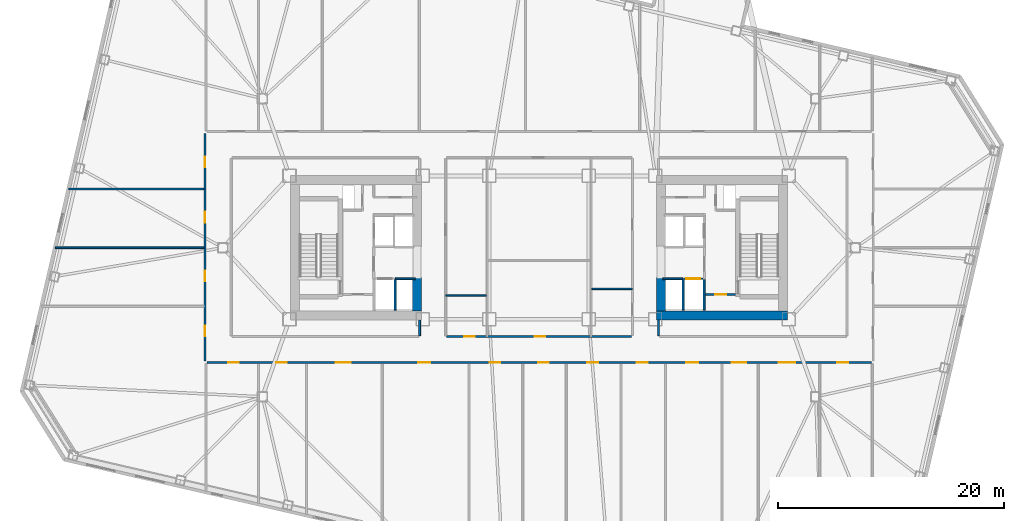
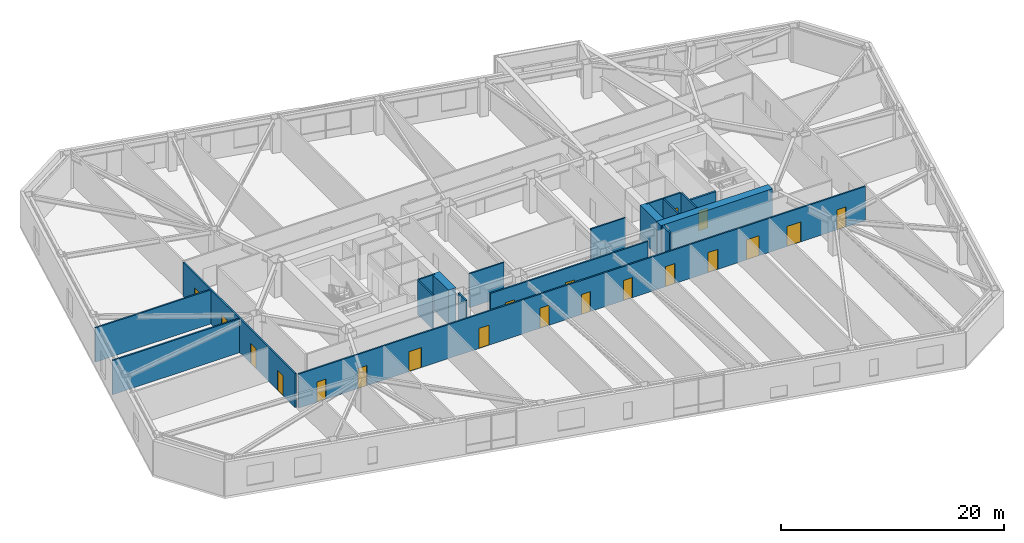
# One storey, part 14 of 23: 20 doors, 19 walls, 20 openings.
"""IFC4 building model written with IfcOpenShell, lengths in metres."""

from ifc_helpers import new_model, si_unit, direction, frame, frame_2d, origin, place, context, subcontext, project, spatial, rectangle, extrude, material, layer, layer_set, type_object, element, fill, save


model = new_model("IFC4")

# Units and contexts
model_context = context("Model", 3, precision=1e-05, world=origin(), true_north=direction((0.0, 1.0)))
body_context = subcontext(model_context, "Body", "Model", "MODEL_VIEW")
ifc_project = project(units=[si_unit("LENGTHUNIT", "METRE"), si_unit("AREAUNIT", "SQUARE_METRE"), si_unit("VOLUMEUNIT", "CUBIC_METRE"), si_unit("PLANEANGLEUNIT", "RADIAN"), si_unit("MASSUNIT", "GRAM", prefix="KILO")], contexts=[model_context])

# Site, building, storey
site_placement = place(None, origin())
site = spatial("IfcSite", under=ifc_project, at=site_placement, CompositionType="ELEMENT")
building_placement = place(site_placement, origin())
building = spatial("IfcBuilding", under=site, at=building_placement, Name="Tavrogorsk Clinical Tower", CompositionType="ELEMENT")
storey_placement = place(building_placement, frame((0.0, 0.0, 63.39990234375)))
storey = spatial("IfcBuildingStorey", under=building, at=storey_placement, Name="L13", CompositionType="ELEMENT", Elevation=63.39990234375)

# Wall, opening, door
ifc_material_1 = material(Name="Concrete B60", Category="concrete")
ifc_layer_1 = layer(ifc_material_1, 0.199951171875)
ifc_layer_set_1 = layer_set([ifc_layer_1], Name="Concrete B60")
wall_type_1 = type_object("IfcWallType", Name="CoreFireWall_200", PredefinedType="SOLIDWALL", material=ifc_layer_set_1)
wall_1_placement = place(storey_placement, frame((14.719970703125, -4.139892578125, 0.0), z_axis=(0.0, 0.0, 1.0), x_axis=(1.0, 0.0, 0.0)))
wall_1 = element("IfcWall", 1, at=wall_1_placement, inside=storey, type_object=wall_type_1, Name="L13 Core East South Core Room Fire Wall", PredefinedType="SOLIDWALL", context=body_context, shape_type="SweptSolid", body=[
    extrude(rectangle(XDim=2.659912109375, YDim=0.199951171875, at=frame_2d((1.330078125, 0.0))), origin(), (0.0, 0.0, 1.0), 3.739990234375),
])
opening_1_placement = place(wall_1_placement, frame((0.8798828125, 0.0, 0.0)))
opening_1 = element("IfcOpeningElement", 2, at=opening_1_placement, cuts=wall_1, Name="Opening ID-02", PredefinedType="OPENING", context=body_context, shape_type="SweptSolid", body=[
    extrude(rectangle(XDim=0.949951171875, YDim=2.199951171875, at=frame_2d((0.47509765625, 1.10009765625))), frame((0.0, 0.10986328125, 0.0), z_axis=(0.0, -1.0, 0.0), x_axis=(1.0, 0.0, 0.0)), (0.0, 0.0, 1.0), 0.219970703125),
])
ifc_material_2 = material(Name="Laminated timber leaf on aluminium frame", Category="wood")
door_type_1 = type_object("IfcDoorType", Name="InteriorDoor_ID02_950", OperationType="NOTDEFINED", PredefinedType="DOOR", material=ifc_material_2)
door_1_placement = place(opening_1_placement, origin())
door_1 = element("IfcDoor", 3, at=door_1_placement, inside=storey, type_object=door_type_1, Name="L13 Core East South Core Room Door", OperationType="SINGLE_SWING_RIGHT", OverallHeight=2.199951171875, OverallWidth=0.949951171875, PredefinedType="DOOR", context=body_context, shape_type="SweptSolid", body=[
    extrude(rectangle(XDim=0.949951171875, YDim=2.199951171875, at=frame_2d((0.47509765625, 1.10009765625))), frame((0.0, 0.02490234375, 0.0), z_axis=(0.0, -1.0, 0.0), x_axis=(1.0, 0.0, 0.0)), (0.0, 0.0, 1.0), 0.050048828125),
])
fill(opening_1, door_1)

# Walls
ifc_material_3 = material(Name="Lightweight concrete blockwork B15", Category="masonry")
ifc_layer_2 = layer(ifc_material_3, 0.139892578125)
ifc_layer_set_2 = layer_set([ifc_layer_2], Name="Lightweight concrete blockwork B15")
wall_type_2 = type_object("IfcWallType", Name="PartitionWall_140", PredefinedType="PARTITIONING", material=ifc_layer_set_2)
for number, where, z_axis, x_axis, name in (
    (4, (-8.264892578125, -4.25, 0.0), (0.0, 0.0, 1.0), (1.0, 0.0, 0.0), "L13 Central Spine Partition 4"),
    (5, (4.675048828125, -3.64990234375, 0.0), (0.0, 0.0, 1.0), (1.0, 0.0, 0.0), "L13 Central Spine Partition 5"),
):
    element("IfcWall", number, at=place(storey_placement, frame(where, z_axis=z_axis, x_axis=x_axis)), inside=storey, type_object=wall_type_2, Name=name, PredefinedType="PARTITIONING", context=body_context, shape_type="SweptSolid", body=[
        extrude(rectangle(XDim=3.58984375, YDim=0.139892578125, at=frame_2d((1.794921875, 0.0))), origin(), (0.0, 0.0, 1.0), 3.739990234375),
    ])

# Wall, openings, doors
ifc_material_4 = material(Name="Lightweight concrete blockwork B15", Category="masonry")
ifc_layer_3 = layer(ifc_material_4, 0.159912109375)
ifc_layer_set_3 = layer_set([ifc_layer_3], Name="Lightweight concrete blockwork B15")
wall_type_3 = type_object("IfcWallType", Name="PartitionWall_160", PredefinedType="PARTITIONING", material=ifc_layer_set_3)
wall_2_placement = place(storey_placement, frame((-29.580078125, -10.014892578125, 0.0), z_axis=(0.0, 0.0, 1.0), x_axis=(0.0, 1.0, 0.0)))
wall_2 = element("IfcWall", 6, at=wall_2_placement, inside=storey, type_object=wall_type_3, Name="L13 Corridor Partition 01", PredefinedType="PARTITIONING", context=body_context, shape_type="SweptSolid", body=[
    extrude(rectangle(XDim=20.1298828125, YDim=0.159912109375, at=frame_2d((10.06494140625, 0.0))), origin(), (0.0, 0.0, 1.0), 3.739990234375),
])
opening_2_placement = place(wall_2_placement, frame((2.169189453125, 0.0, 0.0)))
opening_2 = element("IfcOpeningElement", 7, at=opening_2_placement, cuts=wall_2, Name="Opening ID-02", PredefinedType="OPENING", context=body_context, shape_type="SweptSolid", body=[
    extrude(rectangle(XDim=0.949951171875, YDim=2.199951171875, at=frame_2d((0.47509765625, 1.10009765625))), frame((0.0, 0.08984375, 0.0), z_axis=(0.0, -1.0, 0.0), x_axis=(1.0, 0.0, 0.0)), (0.0, 0.0, 1.0), 0.179931640625),
])
opening_3_placement = place(wall_2_placement, frame((7.02490234375, 0.0, 0.0)))
opening_3 = element("IfcOpeningElement", 8, at=opening_3_placement, cuts=wall_2, Name="Opening ID-02", PredefinedType="OPENING", context=body_context, shape_type="SweptSolid", body=[
    extrude(rectangle(XDim=0.949951171875, YDim=2.199951171875, at=frame_2d((0.47509765625, 1.10009765625))), frame((0.0, 0.08984375, 0.0), z_axis=(0.0, -1.0, 0.0), x_axis=(1.0, 0.0, 0.0)), (0.0, 0.0, 1.0), 0.179931640625),
])
opening_4_placement = place(wall_2_placement, frame((12.22509765625, 0.0, 0.0)))
opening_4 = element("IfcOpeningElement", 9, at=opening_4_placement, cuts=wall_2, Name="Opening ID-02", PredefinedType="OPENING", context=body_context, shape_type="SweptSolid", body=[
    extrude(rectangle(XDim=0.949951171875, YDim=2.199951171875, at=frame_2d((0.47509765625, 1.10009765625))), frame((0.0, 0.08984375, 0.0), z_axis=(0.0, -1.0, 0.0), x_axis=(1.0, 0.0, 0.0)), (0.0, 0.0, 1.0), 0.179931640625),
])
opening_5_placement = place(wall_2_placement, frame((17.130859375, 0.0, 0.0)))
opening_5 = element("IfcOpeningElement", 10, at=opening_5_placement, cuts=wall_2, Name="Opening ID-02", PredefinedType="OPENING", context=body_context, shape_type="SweptSolid", body=[
    extrude(rectangle(XDim=0.949951171875, YDim=2.199951171875, at=frame_2d((0.47509765625, 1.10009765625))), frame((0.0, 0.08984375, 0.0), z_axis=(0.0, -1.0, 0.0), x_axis=(1.0, 0.0, 0.0)), (0.0, 0.0, 1.0), 0.179931640625),
])
door_2_placement = place(opening_2_placement, origin())
door_2 = element("IfcDoor", 11, at=door_2_placement, inside=storey, type_object=door_type_1, Name="L13 W Solarium Day Room & Lounge 1 Door", OperationType="SINGLE_SWING_LEFT", OverallHeight=2.199951171875, OverallWidth=0.949951171875, PredefinedType="DOOR", context=body_context, shape_type="SweptSolid", body=[
    extrude(rectangle(XDim=0.949951171875, YDim=2.199951171875, at=frame_2d((0.47509765625, 1.10009765625))), frame((0.0, 0.02490234375, 0.0), z_axis=(0.0, -1.0, 0.0), x_axis=(1.0, 0.0, 0.0)), (0.0, 0.0, 1.0), 0.050048828125),
])
fill(opening_2, door_2)
door_3_placement = place(opening_3_placement, origin())
door_3 = element("IfcDoor", 12, at=door_3_placement, inside=storey, type_object=door_type_1, Name="L13 W Rehabilitation Therapy Suite 2 Door", OperationType="SINGLE_SWING_RIGHT", OverallHeight=2.199951171875, OverallWidth=0.949951171875, PredefinedType="DOOR", context=body_context, shape_type="SweptSolid", body=[
    extrude(rectangle(XDim=0.949951171875, YDim=2.199951171875, at=frame_2d((0.47509765625, 1.10009765625))), frame((0.0, 0.02490234375, 0.0), z_axis=(0.0, -1.0, 0.0), x_axis=(1.0, 0.0, 0.0)), (0.0, 0.0, 1.0), 0.050048828125),
])
fill(opening_3, door_3)
door_4_placement = place(opening_4_placement, origin())
door_4 = element("IfcDoor", 13, at=door_4_placement, inside=storey, type_object=door_type_1, Name="L13 W Sub-Acute Observation Suite 3 Door", OperationType="SINGLE_SWING_LEFT", OverallHeight=2.199951171875, OverallWidth=0.949951171875, PredefinedType="DOOR", context=body_context, shape_type="SweptSolid", body=[
    extrude(rectangle(XDim=0.949951171875, YDim=2.199951171875, at=frame_2d((0.47509765625, 1.10009765625))), frame((0.0, 0.02490234375, 0.0), z_axis=(0.0, -1.0, 0.0), x_axis=(1.0, 0.0, 0.0)), (0.0, 0.0, 1.0), 0.050048828125),
])
fill(opening_4, door_4)
door_5_placement = place(opening_5_placement, origin())
door_5 = element("IfcDoor", 14, at=door_5_placement, inside=storey, type_object=door_type_1, Name="L13 W Family Consultation Lounge 4 Door", OperationType="SINGLE_SWING_RIGHT", OverallHeight=2.199951171875, OverallWidth=0.949951171875, PredefinedType="DOOR", context=body_context, shape_type="SweptSolid", body=[
    extrude(rectangle(XDim=0.949951171875, YDim=2.199951171875, at=frame_2d((0.47509765625, 1.10009765625))), frame((0.0, 0.02490234375, 0.0), z_axis=(0.0, -1.0, 0.0), x_axis=(1.0, 0.0, 0.0)), (0.0, 0.0, 1.0), 0.050048828125),
])
fill(opening_5, door_5)

wall_3_placement = place(storey_placement, frame((29.4150390625, -10.179931640625, 0.0), z_axis=(0.0, 0.0, 1.0), x_axis=(-1.0, 0.0, 0.0)))
wall_3 = element("IfcWall", 15, at=wall_3_placement, inside=storey, type_object=wall_type_3, Name="L13 Corridor Partition 04", PredefinedType="PARTITIONING", context=body_context, shape_type="SweptSolid", body=[
    extrude(rectangle(XDim=58.830078125, YDim=0.159912109375, at=frame_2d((29.4150390625, 0.0))), origin(), (0.0, 0.0, 1.0), 3.739990234375),
])
opening_6_placement = place(wall_3_placement, frame((56.005859375, 0.0, 0.0)))
opening_6 = element("IfcOpeningElement", 16, at=opening_6_placement, cuts=wall_3, Name="Opening ID-02", PredefinedType="OPENING", context=body_context, shape_type="SweptSolid", body=[
    extrude(rectangle(XDim=0.949951171875, YDim=2.199951171875, at=frame_2d((0.47509765625, 1.10009765625))), frame((0.0, 0.08984375, 0.0), z_axis=(0.0, -1.0, 0.0), x_axis=(1.0, 0.0, 0.0)), (0.0, 0.0, 1.0), 0.179931640625),
])
opening_7_placement = place(wall_3_placement, frame((51.75, 0.0, 0.0)))
opening_7 = element("IfcOpeningElement", 17, at=opening_7_placement, cuts=wall_3, Name="Opening ID-02", PredefinedType="OPENING", context=body_context, shape_type="SweptSolid", body=[
    extrude(rectangle(XDim=0.949951171875, YDim=2.199951171875, at=frame_2d((0.47509765625, 1.10009765625))), frame((0.0, 0.08984375, 0.0), z_axis=(0.0, -1.0, 0.0), x_axis=(1.0, 0.0, 0.0)), (0.0, 0.0, 1.0), 0.179931640625),
])
opening_8_placement = place(wall_3_placement, frame((46.10009765625, 0.0, 0.0)))
opening_8 = element("IfcOpeningElement", 18, at=opening_8_placement, cuts=wall_3, Name="Opening ID-01", PredefinedType="OPENING", context=body_context, shape_type="SweptSolid", body=[
    extrude(rectangle(XDim=1.300048828125, YDim=2.199951171875, at=frame_2d((0.64990234375, 1.10009765625))), frame((0.0, 0.08984375, 0.0), z_axis=(0.0, -1.0, 0.0), x_axis=(1.0, 0.0, 0.0)), (0.0, 0.0, 1.0), 0.179931640625),
])
opening_9_placement = place(wall_3_placement, frame((39.074951171875, 0.0, 0.0)))
opening_9 = element("IfcOpeningElement", 19, at=opening_9_placement, cuts=wall_3, Name="Opening ID-04", PredefinedType="OPENING", context=body_context, shape_type="SweptSolid", body=[
    extrude(rectangle(XDim=1.050048828125, YDim=2.199951171875, at=frame_2d((0.52490234375, 1.10009765625))), frame((0.0, 0.08984375, 0.0), z_axis=(0.0, -1.0, 0.0), x_axis=(1.0, 0.0, 0.0)), (0.0, 0.0, 1.0), 0.179931640625),
])
opening_10_placement = place(wall_3_placement, frame((32.85009765625, 0.0, 0.0)))
opening_10 = element("IfcOpeningElement", 20, at=opening_10_placement, cuts=wall_3, Name="Opening ID-02", PredefinedType="OPENING", context=body_context, shape_type="SweptSolid", body=[
    extrude(rectangle(XDim=0.949951171875, YDim=2.199951171875, at=frame_2d((0.47509765625, 1.10009765625))), frame((0.0, 0.08984375, 0.0), z_axis=(0.0, -1.0, 0.0), x_axis=(1.0, 0.0, 0.0)), (0.0, 0.0, 1.0), 0.179931640625),
])
opening_11_placement = place(wall_3_placement, frame((28.550048828125, 0.0, 0.0)))
opening_11 = element("IfcOpeningElement", 21, at=opening_11_placement, cuts=wall_3, Name="Opening ID-02", PredefinedType="OPENING", context=body_context, shape_type="SweptSolid", body=[
    extrude(rectangle(XDim=0.949951171875, YDim=2.199951171875, at=frame_2d((0.47509765625, 1.10009765625))), frame((0.0, 0.08984375, 0.0), z_axis=(0.0, -1.0, 0.0), x_axis=(1.0, 0.0, 0.0)), (0.0, 0.0, 1.0), 0.179931640625),
])
opening_12_placement = place(wall_3_placement, frame((24.199951171875, 0.0, 0.0)))
opening_12 = element("IfcOpeningElement", 22, at=opening_12_placement, cuts=wall_3, Name="Opening ID-02", PredefinedType="OPENING", context=body_context, shape_type="SweptSolid", body=[
    extrude(rectangle(XDim=0.949951171875, YDim=2.199951171875, at=frame_2d((0.47509765625, 1.10009765625))), frame((0.0, 0.08984375, 0.0), z_axis=(0.0, -1.0, 0.0), x_axis=(1.0, 0.0, 0.0)), (0.0, 0.0, 1.0), 0.179931640625),
])
opening_13_placement = place(wall_3_placement, frame((19.800048828125, 0.0, 0.0)))
opening_13 = element("IfcOpeningElement", 23, at=opening_13_placement, cuts=wall_3, Name="Opening ID-02", PredefinedType="OPENING", context=body_context, shape_type="SweptSolid", body=[
    extrude(rectangle(XDim=0.949951171875, YDim=2.199951171875, at=frame_2d((0.47509765625, 1.10009765625))), frame((0.0, 0.08984375, 0.0), z_axis=(0.0, -1.0, 0.0), x_axis=(1.0, 0.0, 0.0)), (0.0, 0.0, 1.0), 0.179931640625),
])
opening_14_placement = place(wall_3_placement, frame((15.330078125, 0.0, 0.0)))
opening_14 = element("IfcOpeningElement", 24, at=opening_14_placement, cuts=wall_3, Name="Opening ID-04", PredefinedType="OPENING", context=body_context, shape_type="SweptSolid", body=[
    extrude(rectangle(XDim=1.050048828125, YDim=2.199951171875, at=frame_2d((0.52490234375, 1.10009765625))), frame((0.0, 0.08984375, 0.0), z_axis=(0.0, -1.0, 0.0), x_axis=(1.0, 0.0, 0.0)), (0.0, 0.0, 1.0), 0.179931640625),
])
opening_15_placement = place(wall_3_placement, frame((11.054931640625, 0.0, 0.0)))
opening_15 = element("IfcOpeningElement", 25, at=opening_15_placement, cuts=wall_3, Name="Opening ID-01", PredefinedType="OPENING", context=body_context, shape_type="SweptSolid", body=[
    extrude(rectangle(XDim=1.300048828125, YDim=2.199951171875, at=frame_2d((0.64990234375, 1.10009765625))), frame((0.0, 0.08984375, 0.0), z_axis=(0.0, -1.0, 0.0), x_axis=(1.0, 0.0, 0.0)), (0.0, 0.0, 1.0), 0.179931640625),
])
opening_16_placement = place(wall_3_placement, frame((6.72509765625, 0.0, 0.0)))
opening_16 = element("IfcOpeningElement", 26, at=opening_16_placement, cuts=wall_3, Name="Opening ID-05", PredefinedType="OPENING", context=body_context, shape_type="SweptSolid", body=[
    extrude(rectangle(XDim=1.449951171875, YDim=2.199951171875, at=frame_2d((0.72509765625, 1.10009765625))), frame((0.0, 0.08984375, 0.0), z_axis=(0.0, -1.0, 0.0), x_axis=(1.0, 0.0, 0.0)), (0.0, 0.0, 1.0), 0.179931640625),
])
opening_17_placement = place(wall_3_placement, frame((2.044189453125, 0.0, 0.0)))
opening_17 = element("IfcOpeningElement", 27, at=opening_17_placement, cuts=wall_3, Name="Opening ID-02", PredefinedType="OPENING", context=body_context, shape_type="SweptSolid", body=[
    extrude(rectangle(XDim=0.949951171875, YDim=2.199951171875, at=frame_2d((0.47509765625, 1.10009765625))), frame((0.0, 0.08984375, 0.0), z_axis=(0.0, -1.0, 0.0), x_axis=(1.0, 0.0, 0.0)), (0.0, 0.0, 1.0), 0.179931640625),
])
ifc_material_5 = material(Name="Antibacterial HPL consultation door on aluminium frame", Category="aluminium")
door_type_2 = type_object("IfcDoorType", Name="ConsultDoor_ID04_1050", OperationType="NOTDEFINED", PredefinedType="DOOR", material=ifc_material_5)
door_6_placement = place(opening_9_placement, origin())
door_6 = element("IfcDoor", 28, at=door_6_placement, inside=storey, type_object=door_type_2, Name="L13 South Clean Medication & Prep Room 04 Door", OperationType="SINGLE_SWING_RIGHT", OverallHeight=2.199951171875, OverallWidth=1.050048828125, PredefinedType="DOOR", context=body_context, shape_type="SweptSolid", body=[
    extrude(rectangle(XDim=1.050048828125, YDim=2.199951171875, at=frame_2d((0.52490234375, 1.10009765625))), frame((0.0, 0.02490234375, 0.0), z_axis=(0.0, -1.0, 0.0), x_axis=(1.0, 0.0, 0.0)), (0.0, 0.0, 1.0), 0.050048828125),
])
fill(opening_9, door_6)
door_7_placement = place(opening_14_placement, origin())
door_7 = element("IfcDoor", 29, at=door_7_placement, inside=storey, type_object=door_type_2, Name="L13 South Attending Physician Office 07A Door", OperationType="SINGLE_SWING_LEFT", OverallHeight=2.199951171875, OverallWidth=1.050048828125, PredefinedType="DOOR", context=body_context, shape_type="SweptSolid", body=[
    extrude(rectangle(XDim=1.050048828125, YDim=2.199951171875, at=frame_2d((0.52490234375, 1.10009765625))), frame((0.0, 0.02490234375, 0.0), z_axis=(0.0, -1.0, 0.0), x_axis=(1.0, 0.0, 0.0)), (0.0, 0.0, 1.0), 0.050048828125),
])
fill(opening_14, door_7)
ifc_material_6 = material(Name="Antibacterial HPL bariatric ward double door")
door_type_3 = type_object("IfcDoorType", Name="DoubleWardDoor_ID05_1450", OperationType="DOUBLE_SWING_LEFT", PredefinedType="DOOR", material=ifc_material_6)
door_8_placement = place(opening_16_placement, origin())
door_8 = element("IfcDoor", 30, at=door_8_placement, inside=storey, type_object=door_type_3, Name="L13 South Acute Medical Ward 08 Door", OperationType="DOUBLE_SWING_LEFT", OverallHeight=2.199951171875, OverallWidth=1.449951171875, PredefinedType="DOOR", context=body_context, shape_type="SweptSolid", body=[
    extrude(rectangle(XDim=1.449951171875, YDim=2.199951171875, at=frame_2d((0.72509765625, 1.10009765625))), frame((0.0, 0.02490234375, 0.0), z_axis=(0.0, -1.0, 0.0), x_axis=(1.0, 0.0, 0.0)), (0.0, 0.0, 1.0), 0.050048828125),
])
fill(opening_16, door_8)
door_9_placement = place(opening_6_placement, origin())
door_9 = element("IfcDoor", 31, at=door_9_placement, inside=storey, type_object=door_type_1, Name="L13 South Cardiology Diagnostics Room 01 Door", OperationType="SINGLE_SWING_LEFT", OverallHeight=2.199951171875, OverallWidth=0.949951171875, PredefinedType="DOOR", context=body_context, shape_type="SweptSolid", body=[
    extrude(rectangle(XDim=0.949951171875, YDim=2.199951171875, at=frame_2d((0.47509765625, 1.10009765625))), frame((0.0, 0.02490234375, 0.0), z_axis=(0.0, -1.0, 0.0), x_axis=(1.0, 0.0, 0.0)), (0.0, 0.0, 1.0), 0.050048828125),
])
fill(opening_6, door_9)
door_10_placement = place(opening_7_placement, origin())
door_10 = element("IfcDoor", 32, at=door_10_placement, inside=storey, type_object=door_type_1, Name="L13 South Attending Physician Office 02 Door", OperationType="SINGLE_SWING_RIGHT", OverallHeight=2.199951171875, OverallWidth=0.949951171875, PredefinedType="DOOR", context=body_context, shape_type="SweptSolid", body=[
    extrude(rectangle(XDim=0.949951171875, YDim=2.199951171875, at=frame_2d((0.47509765625, 1.10009765625))), frame((0.0, 0.02490234375, 0.0), z_axis=(0.0, -1.0, 0.0), x_axis=(1.0, 0.0, 0.0)), (0.0, 0.0, 1.0), 0.050048828125),
])
fill(opening_7, door_10)
door_11_placement = place(opening_10_placement, origin())
door_11 = element("IfcDoor", 33, at=door_11_placement, inside=storey, type_object=door_type_1, Name="L13 South Outpatient Procedure Suite 05A Door", OperationType="SINGLE_SWING_LEFT", OverallHeight=2.199951171875, OverallWidth=0.949951171875, PredefinedType="DOOR", context=body_context, shape_type="SweptSolid", body=[
    extrude(rectangle(XDim=0.949951171875, YDim=2.199951171875, at=frame_2d((0.47509765625, 1.10009765625))), frame((0.0, 0.02490234375, 0.0), z_axis=(0.0, -1.0, 0.0), x_axis=(1.0, 0.0, 0.0)), (0.0, 0.0, 1.0), 0.050048828125),
])
fill(opening_10, door_11)
door_12_placement = place(opening_11_placement, origin())
door_12 = element("IfcDoor", 34, at=door_12_placement, inside=storey, type_object=door_type_1, Name="L13 South Clinical Case Seminar Room 05B Door", OperationType="SINGLE_SWING_RIGHT", OverallHeight=2.199951171875, OverallWidth=0.949951171875, PredefinedType="DOOR", context=body_context, shape_type="SweptSolid", body=[
    extrude(rectangle(XDim=0.949951171875, YDim=2.199951171875, at=frame_2d((0.47509765625, 1.10009765625))), frame((0.0, 0.02490234375, 0.0), z_axis=(0.0, -1.0, 0.0), x_axis=(1.0, 0.0, 0.0)), (0.0, 0.0, 1.0), 0.050048828125),
])
fill(opening_11, door_12)
door_13_placement = place(opening_12_placement, origin())
door_13 = element("IfcDoor", 35, at=door_13_placement, inside=storey, type_object=door_type_1, Name="L13 South Cardiology Diagnostics Room 06A Door", OperationType="SINGLE_SWING_LEFT", OverallHeight=2.199951171875, OverallWidth=0.949951171875, PredefinedType="DOOR", context=body_context, shape_type="SweptSolid", body=[
    extrude(rectangle(XDim=0.949951171875, YDim=2.199951171875, at=frame_2d((0.47509765625, 1.10009765625))), frame((0.0, 0.02490234375, 0.0), z_axis=(0.0, -1.0, 0.0), x_axis=(1.0, 0.0, 0.0)), (0.0, 0.0, 1.0), 0.050048828125),
])
fill(opening_12, door_13)
door_14_placement = place(opening_13_placement, origin())
door_14 = element("IfcDoor", 36, at=door_14_placement, inside=storey, type_object=door_type_1, Name="L13 South Staff Rest & Nourishment Lounge 06B Door", OperationType="SINGLE_SWING_RIGHT", OverallHeight=2.199951171875, OverallWidth=0.949951171875, PredefinedType="DOOR", context=body_context, shape_type="SweptSolid", body=[
    extrude(rectangle(XDim=0.949951171875, YDim=2.199951171875, at=frame_2d((0.47509765625, 1.10009765625))), frame((0.0, 0.02490234375, 0.0), z_axis=(0.0, -1.0, 0.0), x_axis=(1.0, 0.0, 0.0)), (0.0, 0.0, 1.0), 0.050048828125),
])
fill(opening_13, door_14)
door_15_placement = place(opening_17_placement, origin())
door_15 = element("IfcDoor", 37, at=door_15_placement, inside=storey, type_object=door_type_1, Name="L13 South Clean Medication & Prep Room 09 Door", OperationType="SINGLE_SWING_RIGHT", OverallHeight=2.199951171875, OverallWidth=0.949951171875, PredefinedType="DOOR", context=body_context, shape_type="SweptSolid", body=[
    extrude(rectangle(XDim=0.949951171875, YDim=2.199951171875, at=frame_2d((0.47509765625, 1.10009765625))), frame((0.0, 0.02490234375, 0.0), z_axis=(0.0, -1.0, 0.0), x_axis=(1.0, 0.0, 0.0)), (0.0, 0.0, 1.0), 0.050048828125),
])
fill(opening_17, door_15)
ifc_material_7 = material(Name="Antibacterial HPL medical leaf on aluminium frame", Category="aluminium")
door_type_4 = type_object("IfcDoorType", Name="WardBedDoor_ID01_1300", OperationType="NOTDEFINED", PredefinedType="DOOR", material=ifc_material_7)
door_16_placement = place(opening_8_placement, origin())
door_16 = element("IfcDoor", 38, at=door_16_placement, inside=storey, type_object=door_type_4, Name="L13 South Acute Medical Ward 03 Door", OperationType="SINGLE_SWING_LEFT", OverallHeight=2.199951171875, OverallWidth=1.300048828125, PredefinedType="DOOR", context=body_context, shape_type="SweptSolid", body=[
    extrude(rectangle(XDim=1.300048828125, YDim=2.199951171875, at=frame_2d((0.64990234375, 1.10009765625))), frame((0.0, 0.02490234375, 0.0), z_axis=(0.0, -1.0, 0.0), x_axis=(1.0, 0.0, 0.0)), (0.0, 0.0, 1.0), 0.050048828125),
])
fill(opening_8, door_16)
door_17_placement = place(opening_15_placement, origin())
door_17 = element("IfcDoor", 39, at=door_17_placement, inside=storey, type_object=door_type_4, Name="L13 South Bariatric Observation Ward 07B Door", OperationType="SINGLE_SWING_RIGHT", OverallHeight=2.199951171875, OverallWidth=1.300048828125, PredefinedType="DOOR", context=body_context, shape_type="SweptSolid", body=[
    extrude(rectangle(XDim=1.300048828125, YDim=2.199951171875, at=frame_2d((0.64990234375, 1.10009765625))), frame((0.0, 0.02490234375, 0.0), z_axis=(0.0, -1.0, 0.0), x_axis=(1.0, 0.0, 0.0)), (0.0, 0.0, 1.0), 0.050048828125),
])
fill(opening_15, door_17)

# Wall
wall_4_placement = place(storey_placement, frame((10.580078125, -6.419921875, 0.0), z_axis=(0.0, 0.0, 1.0), x_axis=(0.0, -1.0, 0.0)))
element("IfcWall", 40, at=wall_4_placement, inside=storey, type_object=wall_type_3, Name="L13 Corridor Partition 07", PredefinedType="PARTITIONING", context=body_context, shape_type="SweptSolid", body=[
    extrude(rectangle(XDim=1.364990234375, YDim=0.159912109375, at=frame_2d((0.6826171875, 0.0))), origin(), (0.0, 0.0, 1.0), 3.739990234375),
])

# Wall, openings, doors
wall_5_placement = place(storey_placement, frame((-8.18505859375, -7.8701171875, 0.0), z_axis=(0.0, 0.0, 1.0), x_axis=(1.0, 0.0, 0.0)))
wall_5 = element("IfcWall", 41, at=wall_5_placement, inside=storey, type_object=wall_type_3, Name="L13 Corridor Partition 13", PredefinedType="PARTITIONING", context=body_context, shape_type="SweptSolid", body=[
    extrude(rectangle(XDim=16.3701171875, YDim=0.159912109375, at=frame_2d((8.18505859375, 0.0))), origin(), (0.0, 0.0, 1.0), 3.739990234375),
])
opening_18_placement = place(wall_5_placement, frame((1.55419921875, 0.0, 0.0)))
opening_18 = element("IfcOpeningElement", 42, at=opening_18_placement, cuts=wall_5, Name="Opening ID-02", PredefinedType="OPENING", context=body_context, shape_type="SweptSolid", body=[
    extrude(rectangle(XDim=0.949951171875, YDim=2.199951171875, at=frame_2d((0.47509765625, 1.10009765625))), frame((0.0, 0.08984375, 0.0), z_axis=(0.0, -1.0, 0.0), x_axis=(1.0, 0.0, 0.0)), (0.0, 0.0, 1.0), 0.179931640625),
])
opening_19_placement = place(wall_5_placement, frame((7.794921875, 0.0, 0.0)))
opening_19 = element("IfcOpeningElement", 43, at=opening_19_placement, cuts=wall_5, Name="Opening ID-02", PredefinedType="OPENING", context=body_context, shape_type="SweptSolid", body=[
    extrude(rectangle(XDim=0.949951171875, YDim=2.199951171875, at=frame_2d((0.47509765625, 1.10009765625))), frame((0.0, 0.08984375, 0.0), z_axis=(0.0, -1.0, 0.0), x_axis=(1.0, 0.0, 0.0)), (0.0, 0.0, 1.0), 0.179931640625),
])
door_18_placement = place(opening_18_placement, origin())
door_18 = element("IfcDoor", 44, at=door_18_placement, inside=storey, type_object=door_type_1, Name="L13 Accessible Patient Lavatory Door", OperationType="SINGLE_SWING_LEFT", OverallHeight=2.199951171875, OverallWidth=0.949951171875, PredefinedType="DOOR", context=body_context, shape_type="SweptSolid", body=[
    extrude(rectangle(XDim=0.949951171875, YDim=2.199951171875, at=frame_2d((0.47509765625, 1.10009765625))), frame((0.0, 0.02490234375, 0.0), z_axis=(0.0, -1.0, 0.0), x_axis=(1.0, 0.0, 0.0)), (0.0, 0.0, 1.0), 0.050048828125),
])
fill(opening_18, door_18)
door_19_placement = place(opening_19_placement, origin())
door_19 = element("IfcDoor", 45, at=door_19_placement, inside=storey, type_object=door_type_1, Name="L13 Multidisciplinary Conference Room Door", OperationType="SINGLE_SWING_LEFT", OverallHeight=2.199951171875, OverallWidth=0.949951171875, PredefinedType="DOOR", context=body_context, shape_type="SweptSolid", body=[
    extrude(rectangle(XDim=0.949951171875, YDim=2.199951171875, at=frame_2d((0.47509765625, 1.10009765625))), frame((0.0, 0.02490234375, 0.0), z_axis=(0.0, -1.0, 0.0), x_axis=(1.0, 0.0, 0.0)), (0.0, 0.0, 1.0), 0.050048828125),
])
fill(opening_19, door_19)

# Walls
wall_6_placement = place(storey_placement, frame((-10.580078125, -7.784912109375, 0.0), z_axis=(0.0, 0.0, 1.0), x_axis=(0.0, 1.0, 0.0)))
element("IfcWall", 46, at=wall_6_placement, inside=storey, type_object=wall_type_3, Name="L13 Corridor Partition 14", PredefinedType="PARTITIONING", context=body_context, shape_type="SweptSolid", body=[
    extrude(rectangle(XDim=1.364990234375, YDim=0.159912109375, at=frame_2d((0.6826171875, 0.0))), origin(), (0.0, 0.0, 1.0), 3.739990234375),
])
wall_7_placement = place(storey_placement, frame((-42.841552734375, 0.0, 0.0), z_axis=(0.0, 0.0, 1.0), x_axis=(1.0, 0.0, 0.0)))
element("IfcWall", 47, at=wall_7_placement, inside=storey, type_object=wall_type_3, Name="L13 W Wing Divider 2", PredefinedType="PARTITIONING", context=body_context, shape_type="SweptSolid", body=[
    extrude(rectangle(XDim=13.176513671875, YDim=0.159912109375, at=frame_2d((6.58837890625, 0.0))), origin(), (0.0, 0.0, 1.0), 3.739990234375),
])
wall_8_placement = place(storey_placement, frame((-41.64111328125, 5.199951171875, 0.0), z_axis=(0.0, 0.0, 1.0), x_axis=(1.0, 0.0, 0.0)))
element("IfcWall", 48, at=wall_8_placement, inside=storey, type_object=wall_type_3, Name="L13 W Wing Divider 3", PredefinedType="PARTITIONING", context=body_context, shape_type="SweptSolid", body=[
    extrude(rectangle(XDim=11.97607421875, YDim=0.159912109375, at=frame_2d((5.988037109375, 0.0))), origin(), (0.0, 0.0, 1.0), 3.739990234375),
])
ifc_material_8 = material(Name="Lightweight concrete blockwork B25", Category="masonry")
ifc_layer_4 = layer(ifc_material_8, 0.159912109375)
ifc_layer_set_4 = layer_set([ifc_layer_4], Name="Lightweight concrete blockwork B25")
wall_type_4 = type_object("IfcWallType", Name="ShaftWall_160", PredefinedType="PARTITIONING", material=ifc_layer_set_4)
wall_9_placement = place(storey_placement, frame((-12.75, -5.5400390625, 0.0), z_axis=(0.0, 0.0, 1.0), x_axis=(0.0, 1.0, 0.0)))
element("IfcWall", 49, at=wall_9_placement, inside=storey, type_object=wall_type_4, Name="L13 LP-L1 Lift Hoistway Divider Wall", PredefinedType="PARTITIONING", context=body_context, shape_type="SweptSolid", body=[
    extrude(rectangle(XDim=2.699951171875, YDim=0.159912109375, at=frame_2d((1.35009765625, 0.0))), origin(), (0.0, 0.0, 1.0), 3.739990234375),
])
wall_10_placement = place(storey_placement, frame((-12.72998046875, -2.75, 0.0), z_axis=(0.0, 0.0, 1.0), x_axis=(1.0, 0.0, 0.0)))
element("IfcWall", 50, at=wall_10_placement, inside=storey, type_object=wall_type_4, Name="L13 LP-M1 Lift Shaft Portal Wall", PredefinedType="PARTITIONING", context=body_context, shape_type="SweptSolid", body=[
    extrude(rectangle(XDim=1.760009765625, YDim=0.159912109375, at=frame_2d((0.8798828125, 0.0))), origin(), (0.0, 0.0, 1.0), 3.739990234375),
])

# Wall, opening, door
wall_11_placement = place(storey_placement, frame((12.77001953125, -2.75, 0.0), z_axis=(0.0, 0.0, 1.0), x_axis=(1.0, 0.0, 0.0)))
wall_11 = element("IfcWall", 51, at=wall_11_placement, inside=storey, type_object=wall_type_4, Name="L13 LP-L2 Lift Shaft Portal Wall", PredefinedType="PARTITIONING", context=body_context, shape_type="SweptSolid", body=[
    extrude(rectangle(XDim=1.760009765625, YDim=0.159912109375, at=frame_2d((0.8798828125, 0.0))), origin(), (0.0, 0.0, 1.0), 3.739990234375),
])
opening_20_placement = place(wall_11_placement, frame((0.280029296875, 0.0, 0.0)))
opening_20 = element("IfcOpeningElement", 52, at=opening_20_placement, cuts=wall_11, Name="Opening LD", PredefinedType="OPENING", context=body_context, shape_type="SweptSolid", body=[
    extrude(rectangle(XDim=1.199951171875, YDim=2.199951171875, at=frame_2d((0.60009765625, 1.10009765625))), frame((0.0, 0.08984375, 0.0), z_axis=(0.0, -1.0, 0.0), x_axis=(1.0, 0.0, 0.0)), (0.0, 0.0, 1.0), 0.179931640625),
])
ifc_material_9 = material(Name="Brushed stainless steel AISI 304 sliding doors", Category="steel")
door_type_5 = type_object("IfcDoorType", Name="LiftLandingDoor_LD_1200", OperationType="SLIDING_TO_LEFT", PredefinedType="DOOR", material=ifc_material_9)
door_20_placement = place(opening_20_placement, origin())
door_20 = element("IfcDoor", 53, at=door_20_placement, inside=storey, type_object=door_type_5, Name="L13 LP-L2 Sliding Lift Landing Door", OperationType="SLIDING_TO_LEFT", OverallHeight=2.199951171875, OverallWidth=1.199951171875, PredefinedType="DOOR", context=body_context, shape_type="SweptSolid", body=[
    extrude(rectangle(XDim=1.199951171875, YDim=2.199951171875, at=frame_2d((0.60009765625, 1.10009765625))), frame((0.0, 0.02490234375, 0.0), z_axis=(0.0, -1.0, 0.0), x_axis=(1.0, 0.0, 0.0)), (0.0, 0.0, 1.0), 0.050048828125),
])
fill(opening_20, door_20)

# Walls
for number, where, z_axis, x_axis, name in (
    (54, (12.75, -5.5400390625, 0.0), (0.0, 0.0, 1.0), (0.0, 1.0, 0.0), "L13 LP-L2 Lift Hoistway Divider Wall"),
    (55, (14.610107421875, -5.5400390625, 0.0), (0.0, 0.0, 1.0), (0.0, 1.0, 0.0), "L13 LP-L2 Lift Hoistway Outer Cheek Wall"),
):
    element("IfcWall", number, at=place(storey_placement, frame(where, z_axis=z_axis, x_axis=x_axis)), inside=storey, type_object=wall_type_4, Name=name, PredefinedType="PARTITIONING", context=body_context, shape_type="SweptSolid", body=[
        extrude(rectangle(XDim=2.699951171875, YDim=0.159912109375, at=frame_2d((1.35009765625, 0.0))), origin(), (0.0, 0.0, 1.0), 3.739990234375),
    ])
wall_12_placement = place(storey_placement, frame((10.969970703125, -2.75, 0.0), z_axis=(0.0, 0.0, 1.0), x_axis=(1.0, 0.0, 0.0)))
element("IfcWall", 56, at=wall_12_placement, inside=storey, type_object=wall_type_4, Name="L13 LP-M2 Lift Shaft Portal Wall", PredefinedType="PARTITIONING", context=body_context, shape_type="SweptSolid", body=[
    extrude(rectangle(XDim=1.760009765625, YDim=0.159912109375, at=frame_2d((0.8798828125, 0.0))), origin(), (0.0, 0.0, 1.0), 3.739990234375),
])
ifc_material_10 = material(Name="Concrete B80", Category="concrete")
ifc_layer_5 = layer(ifc_material_10, 0.800048828125)
ifc_layer_set_5 = layer_set([ifc_layer_5], Name="Concrete B80")
wall_type_5 = type_object("IfcWallType", Name="ShearWall_800", PredefinedType="SHEAR", material=ifc_layer_set_5)
wall_13_placement = place(storey_placement, frame((-10.800048828125, -5.60009765625, 0.0), z_axis=(0.0, 0.0, 1.0), x_axis=(0.0, 1.0, 0.0)))
element("IfcWall", 57, at=wall_13_placement, inside=storey, type_object=wall_type_5, Name="L13 Core West Inner South Pier", PredefinedType="SHEAR", context=body_context, shape_type="SweptSolid", body=[
    extrude(rectangle(XDim=2.9501953125, YDim=0.800048828125, at=frame_2d((1.47509765625, 0.0))), origin(), (0.0, 0.0, 1.0), 3.739990234375),
])
wall_14_placement = place(storey_placement, frame((10.39990234375, -6.0, 0.0), z_axis=(0.0, 0.0, 1.0), x_axis=(1.0, 0.0, 0.0)))
element("IfcWall", 58, at=wall_14_placement, inside=storey, type_object=wall_type_5, Name="L13 Core East South Shear Wall", PredefinedType="SHEAR", context=body_context, shape_type="SweptSolid", body=[
    extrude(rectangle(XDim=11.60009765625, YDim=0.800048828125, at=frame_2d((5.800048828125, 0.0))), origin(), (0.0, 0.0, 1.0), 3.739990234375),
])
wall_15_placement = place(storey_placement, frame((10.800048828125, -5.60009765625, 0.0), z_axis=(0.0, 0.0, 1.0), x_axis=(0.0, 1.0, 0.0)))
element("IfcWall", 59, at=wall_15_placement, inside=storey, type_object=wall_type_5, Name="L13 Core East Inner South Pier", PredefinedType="SHEAR", context=body_context, shape_type="SweptSolid", body=[
    extrude(rectangle(XDim=2.9501953125, YDim=0.800048828125, at=frame_2d((1.47509765625, 0.0))), origin(), (0.0, 0.0, 1.0), 3.739990234375),
])

save(model, "model.ifc")
